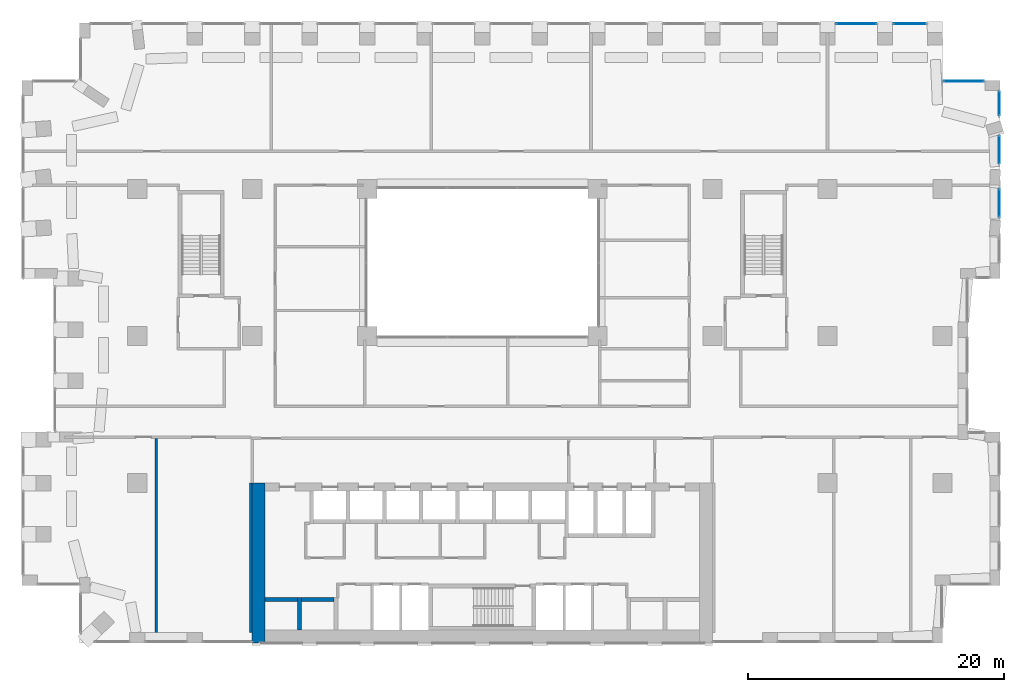
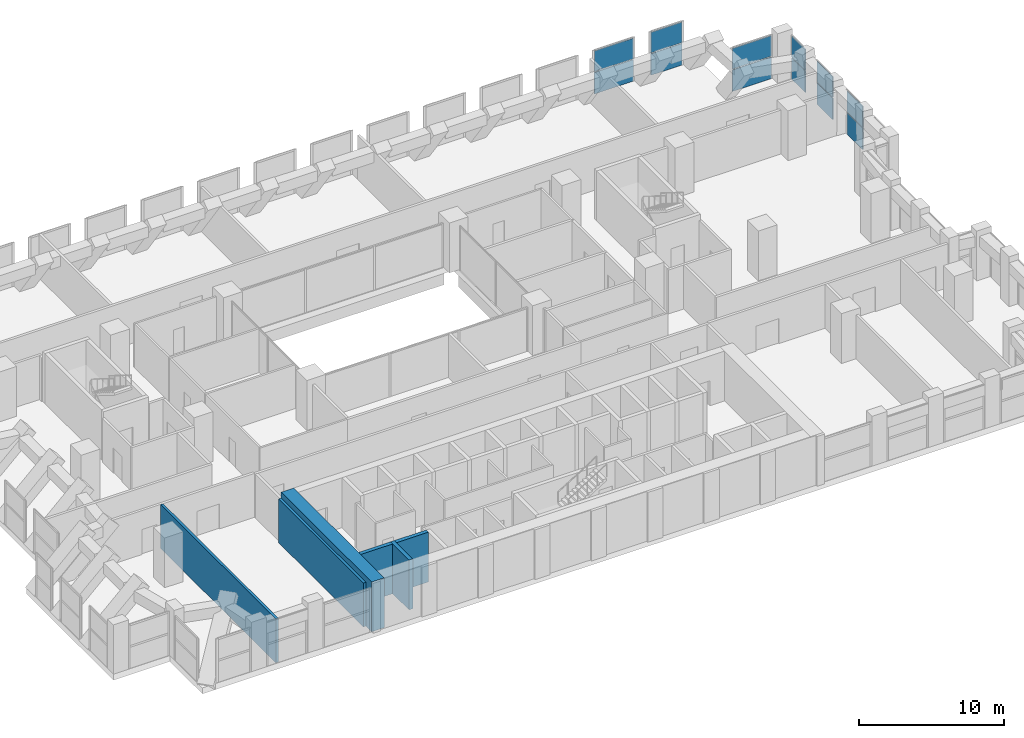
# One storey, part 14 of 20: 12 plates, 6 walls, 6 elements without a shape of their own.
"""IFC4 building model written with IfcOpenShell, lengths in metres."""

from ifc_helpers import new_model, si_unit, direction, frame, frame_2d, origin, origin_2d, place, context, subcontext, project, spatial, rectangle, extrude, material, layer, layer_set, type_object, element, aggregate, save


model = new_model("IFC4")

# Units and contexts
model_context = context("Model", 3, precision=1e-05, world=origin(), true_north=direction((0.0, 1.0)))
body_context = subcontext(model_context, "Body", "Model", "MODEL_VIEW")
ifc_project = project(units=[si_unit("LENGTHUNIT", "METRE"), si_unit("AREAUNIT", "SQUARE_METRE"), si_unit("VOLUMEUNIT", "CUBIC_METRE"), si_unit("PLANEANGLEUNIT", "RADIAN"), si_unit("MASSUNIT", "GRAM", prefix="KILO")], contexts=[model_context])

# Site, building, storey
site_placement = place(None, origin())
site = spatial("IfcSite", under=ifc_project, at=site_placement, CompositionType="ELEMENT")
building_placement = place(site_placement, origin())
building = spatial("IfcBuilding", under=site, at=building_placement, Name="Brigalow Station Residences", CompositionType="ELEMENT")
storey_placement = place(building_placement, frame((0.0, 0.0, 73.050048828125)))
storey = spatial("IfcBuildingStorey", under=building, at=storey_placement, Name="L21", CompositionType="ELEMENT", Elevation=73.050048828125)

# Curtain wall, plates
ifc_material_1 = material(Name="Aluminium", Category="aluminium")
ifc_layer_1 = layer(ifc_material_1, 0.199951171875)
ifc_layer_set_1 = layer_set([ifc_layer_1], Name="REFUGE FLOOR LOUVRE CURTAIN WALL")
curtain_wall_type = type_object("IfcCurtainWallType", Name="REFUGE FLOOR LOUVRE CURTAIN WALL", PredefinedType="NOTDEFINED", material=ifc_layer_set_1)
curtain_wall_1_placement = place(storey_placement, origin())
curtain_wall_1 = element("IfcCurtainWall", 1, at=curtain_wall_1_placement, inside=storey, type_object=curtain_wall_type, Name="L21/cw/louvre-W-L21-19-19", PredefinedType="NOTDEFINED")
ifc_material_2 = material(Name="Aluminium louvre blade", Category="aluminium")
ifc_layer_2 = layer(ifc_material_2, 0.070068359375)
ifc_layer_set_2 = layer_set([ifc_layer_2], Name="REFUGE FLOOR LOUVRE PANEL 70")
plate_type = type_object("IfcPlateType", Name="REFUGE FLOOR LOUVRE PANEL 70", PredefinedType="CURTAIN_PANEL", material=ifc_layer_set_2)
plate_1_placement = place(storey_placement, frame((76.425048828125, 34.411376953125, 0.0), z_axis=(0.0, 0.0, 1.0), x_axis=(0.0, 1.0, 0.0)))
plate_1 = element("IfcPlate", 2, at=plate_1_placement, type_object=plate_type, Name="L21/cw/louvre-W-L21-19-19/P00-00", PredefinedType="CURTAIN_PANEL", context=body_context, shape_type="SweptSolid", body=[
    extrude(rectangle(XDim=2.144287109375, YDim=0.070068359375, at=origin_2d()), origin(), (0.0, 0.0, 1.0), 1.81005859375),
])
plate_2_placement = place(storey_placement, frame((76.425048828125, 34.411376953125, 1.889892578125), z_axis=(0.0, 0.0, 1.0), x_axis=(0.0, 1.0, 0.0)))
plate_2 = element("IfcPlate", 3, at=plate_2_placement, type_object=plate_type, Name="L21/cw/louvre-W-L21-19-19/P00-01", PredefinedType="CURTAIN_PANEL", context=body_context, shape_type="SweptSolid", body=[
    extrude(rectangle(XDim=2.144287109375, YDim=0.070068359375, at=origin_2d()), origin(), (0.0, 0.0, 1.0), 1.72998046875),
])
aggregate(curtain_wall_1, [plate_1, plate_2])

curtain_wall_2_placement = place(storey_placement, origin())
curtain_wall_2 = element("IfcCurtainWall", 4, at=curtain_wall_2_placement, inside=storey, type_object=curtain_wall_type, Name="L21/cw/louvre-W-L21-19-20", PredefinedType="NOTDEFINED")
plate_3_placement = place(storey_placement, frame((76.425048828125, 38.576171875, 0.0), z_axis=(0.0, 0.0, 1.0), x_axis=(0.0, 1.0, 0.0)))
plate_3 = element("IfcPlate", 5, at=plate_3_placement, type_object=plate_type, Name="L21/cw/louvre-W-L21-19-20/P00-00", PredefinedType="CURTAIN_PANEL", context=body_context, shape_type="SweptSolid", body=[
    extrude(rectangle(XDim=2.145751953125, YDim=0.070068359375, at=origin_2d()), origin(), (0.0, 0.0, 1.0), 1.81005859375),
])
plate_4_placement = place(storey_placement, frame((76.425048828125, 38.576171875, 1.889892578125), z_axis=(0.0, 0.0, 1.0), x_axis=(0.0, 1.0, 0.0)))
plate_4 = element("IfcPlate", 6, at=plate_4_placement, type_object=plate_type, Name="L21/cw/louvre-W-L21-19-20/P00-01", PredefinedType="CURTAIN_PANEL", context=body_context, shape_type="SweptSolid", body=[
    extrude(rectangle(XDim=2.145751953125, YDim=0.070068359375, at=origin_2d()), origin(), (0.0, 0.0, 1.0), 1.72998046875),
])
aggregate(curtain_wall_2, [plate_3, plate_4])

curtain_wall_3_placement = place(storey_placement, origin())
curtain_wall_3 = element("IfcCurtainWall", 7, at=curtain_wall_3_placement, inside=storey, type_object=curtain_wall_type, Name="L21/cw/louvre-W-L21-19-21", PredefinedType="NOTDEFINED")
plate_5_placement = place(storey_placement, frame((76.425048828125, 42.197998046875, 0.0), z_axis=(0.0, 0.0, 1.0), x_axis=(0.0, 1.0, 0.0)))
plate_5 = element("IfcPlate", 8, at=plate_5_placement, type_object=plate_type, Name="L21/cw/louvre-W-L21-19-21/P00-00", PredefinedType="CURTAIN_PANEL", context=body_context, shape_type="SweptSolid", body=[
    extrude(rectangle(XDim=1.84375, YDim=0.070068359375, at=origin_2d()), origin(), (0.0, 0.0, 1.0), 1.81005859375),
])
plate_6_placement = place(storey_placement, frame((76.425048828125, 42.197998046875, 1.889892578125), z_axis=(0.0, 0.0, 1.0), x_axis=(0.0, 1.0, 0.0)))
plate_6 = element("IfcPlate", 9, at=plate_6_placement, type_object=plate_type, Name="L21/cw/louvre-W-L21-19-21/P00-01", PredefinedType="CURTAIN_PANEL", context=body_context, shape_type="SweptSolid", body=[
    extrude(rectangle(XDim=1.84375, YDim=0.070068359375, at=origin_2d()), origin(), (0.0, 0.0, 1.0), 1.72998046875),
])
aggregate(curtain_wall_3, [plate_5, plate_6])

curtain_wall_4_placement = place(storey_placement, origin())
curtain_wall_4 = element("IfcCurtainWall", 10, at=curtain_wall_4_placement, inside=storey, type_object=curtain_wall_type, Name="L21/cw/louvre-W-L21-23-22", PredefinedType="NOTDEFINED")
plate_7_placement = place(storey_placement, frame((73.660400390625, 43.925048828125, 0.0), z_axis=(0.0, 0.0, 1.0), x_axis=(-1.0, 0.0, 0.0)))
plate_7 = element("IfcPlate", 11, at=plate_7_placement, type_object=plate_type, Name="L21/cw/louvre-W-L21-23-22/P00-00", PredefinedType="CURTAIN_PANEL", context=body_context, shape_type="SweptSolid", body=[
    extrude(rectangle(XDim=3.119384765625, YDim=0.070068359375, at=origin_2d()), origin(), (0.0, 0.0, 1.0), 1.81005859375),
])
plate_8_placement = place(storey_placement, frame((73.660400390625, 43.925048828125, 1.889892578125), z_axis=(0.0, 0.0, 1.0), x_axis=(-1.0, 0.0, 0.0)))
plate_8 = element("IfcPlate", 12, at=plate_8_placement, type_object=plate_type, Name="L21/cw/louvre-W-L21-23-22/P00-01", PredefinedType="CURTAIN_PANEL", context=body_context, shape_type="SweptSolid", body=[
    extrude(rectangle(XDim=3.119384765625, YDim=0.070068359375, at=origin_2d()), origin(), (0.0, 0.0, 1.0), 1.72998046875),
])
aggregate(curtain_wall_4, [plate_7, plate_8])

curtain_wall_5_placement = place(storey_placement, origin())
curtain_wall_5 = element("IfcCurtainWall", 13, at=curtain_wall_5_placement, inside=storey, type_object=curtain_wall_type, Name="L21/cw/louvre-W-L21-25-23", PredefinedType="NOTDEFINED")
plate_9_placement = place(storey_placement, frame((69.447265625, 48.425048828125, 0.0), z_axis=(0.0, 0.0, 1.0), x_axis=(-1.0, 0.0, 0.0)))
plate_9 = element("IfcPlate", 14, at=plate_9_placement, type_object=plate_type, Name="L21/cw/louvre-W-L21-25-23/P00-00", PredefinedType="CURTAIN_PANEL", context=body_context, shape_type="SweptSolid", body=[
    extrude(rectangle(XDim=2.494384765625, YDim=0.070068359375, at=origin_2d()), origin(), (0.0, 0.0, 1.0), 1.81005859375),
])
plate_10_placement = place(storey_placement, frame((69.447265625, 48.425048828125, 1.889892578125), z_axis=(0.0, 0.0, 1.0), x_axis=(-1.0, 0.0, 0.0)))
plate_10 = element("IfcPlate", 15, at=plate_10_placement, type_object=plate_type, Name="L21/cw/louvre-W-L21-25-23/P00-01", PredefinedType="CURTAIN_PANEL", context=body_context, shape_type="SweptSolid", body=[
    extrude(rectangle(XDim=2.494384765625, YDim=0.070068359375, at=origin_2d()), origin(), (0.0, 0.0, 1.0), 1.72998046875),
])
aggregate(curtain_wall_5, [plate_9, plate_10])

curtain_wall_6_placement = place(storey_placement, origin())
curtain_wall_6 = element("IfcCurtainWall", 16, at=curtain_wall_6_placement, inside=storey, type_object=curtain_wall_type, Name="L21/cw/louvre-W-L21-25-24", PredefinedType="NOTDEFINED")
plate_11_placement = place(storey_placement, frame((65.25, 48.425048828125, 0.0), z_axis=(0.0, 0.0, 1.0), x_axis=(-1.0, 0.0, 0.0)))
plate_11 = element("IfcPlate", 17, at=plate_11_placement, type_object=plate_type, Name="L21/cw/louvre-W-L21-25-24/P00-00", PredefinedType="CURTAIN_PANEL", context=body_context, shape_type="SweptSolid", body=[
    extrude(rectangle(XDim=3.10009765625, YDim=0.070068359375, at=origin_2d()), origin(), (0.0, 0.0, 1.0), 1.81005859375),
])
plate_12_placement = place(storey_placement, frame((65.25, 48.425048828125, 1.889892578125), z_axis=(0.0, 0.0, 1.0), x_axis=(-1.0, 0.0, 0.0)))
plate_12 = element("IfcPlate", 18, at=plate_12_placement, type_object=plate_type, Name="L21/cw/louvre-W-L21-25-24/P00-01", PredefinedType="CURTAIN_PANEL", context=body_context, shape_type="SweptSolid", body=[
    extrude(rectangle(XDim=3.10009765625, YDim=0.070068359375, at=origin_2d()), origin(), (0.0, 0.0, 1.0), 1.72998046875),
])
aggregate(curtain_wall_6, [plate_11, plate_12])

# Walls
ifc_material_3 = material(Name="Concrete C80", Category="concrete")
ifc_layer_3 = layer(ifc_material_3, 1.0)
ifc_layer_set_3 = layer_set([ifc_layer_3], Name="CORE SHEAR WALL 1000 C80")
wall_type_1 = type_object("IfcWallType", Name="CORE SHEAR WALL 1000 C80", PredefinedType="SHEAR", material=ifc_layer_set_3)
wall_1_placement = place(storey_placement, frame((18.5, 0.0, 0.0), z_axis=(0.0, 0.0, 1.0), x_axis=(0.0, 1.0, 0.0)))
element("IfcWall", 19, at=wall_1_placement, inside=storey, type_object=wall_type_1, Name="CORE WALL OUT-W L21", PredefinedType="SHEAR", context=body_context, shape_type="SweptSolid", body=[
    extrude(rectangle(XDim=12.5, YDim=1.0, at=frame_2d((6.25, 0.0))), origin(), (0.0, 0.0, 1.0), 4.199951171875),
])
ifc_material_4 = material(Name="Concrete C80", Category="concrete")
ifc_layer_4 = layer(ifc_material_4, 0.300048828125)
ifc_layer_set_4 = layer_set([ifc_layer_4], Name="CORE SHEAR WALL 300 C80")
wall_type_2 = type_object("IfcWallType", Name="CORE SHEAR WALL 300 C80", PredefinedType="SHEAR", material=ifc_layer_set_4)
wall_2_placement = place(storey_placement, frame((19.0, 3.39990234375, 0.0), z_axis=(0.0, 0.0, 1.0), x_axis=(1.0, 0.0, 0.0)))
element("IfcWall", 20, at=wall_2_placement, inside=storey, type_object=wall_type_2, Name="CORE WALL SH-C1-N L21", PredefinedType="SHEAR", context=body_context, shape_type="SweptSolid", body=[
    extrude(rectangle(XDim=2.550048828125, YDim=0.300048828125, at=frame_2d((1.27490234375, 0.0))), origin(), (0.0, 0.0, 1.0), 4.199951171875),
])
wall_3_placement = place(storey_placement, frame((21.85009765625, 3.39990234375, 0.0), z_axis=(0.0, 0.0, 1.0), x_axis=(1.0, 0.0, 0.0)))
element("IfcWall", 21, at=wall_3_placement, inside=storey, type_object=wall_type_2, Name="CORE WALL SH-C2-N L21", PredefinedType="SHEAR", context=body_context, shape_type="SweptSolid", body=[
    extrude(rectangle(XDim=2.5498046875, YDim=0.300048828125, at=frame_2d((1.27490234375, 0.0))), origin(), (0.0, 0.0, 1.0), 4.199951171875),
])
wall_4_placement = place(storey_placement, frame((21.699951171875, 1.0, 0.0), z_axis=(0.0, 0.0, 1.0), x_axis=(0.0, 1.0, 0.0)))
element("IfcWall", 22, at=wall_4_placement, inside=storey, type_object=wall_type_2, Name="CORE WALL SH-C2-W L21", PredefinedType="SHEAR", context=body_context, shape_type="SweptSolid", body=[
    extrude(rectangle(XDim=2.550048828125, YDim=0.300048828125, at=frame_2d((1.27490234375, 0.0))), origin(), (0.0, 0.0, 1.0), 4.199951171875),
])
ifc_material_5 = material(Name="Concrete blockwork", Category="masonry")
ifc_layer_5 = layer(ifc_material_5, 0.199951171875)
ifc_layer_set_5 = layer_set([ifc_layer_5], Name="FIRE RATED CORE PARTITION 200")
wall_type_3 = type_object("IfcWallType", Name="FIRE RATED CORE PARTITION 200", PredefinedType="PARTITIONING", material=ifc_layer_set_5)
wall_5_placement = place(storey_placement, frame((10.5, 0.090087890625, 0.0), z_axis=(0.0, 0.0, 1.0), x_axis=(0.0, 1.0, 0.0)))
element("IfcWall", 23, at=wall_5_placement, inside=storey, type_object=wall_type_3, Name="PW-5176", PredefinedType="PARTITIONING", context=body_context, shape_type="SweptSolid", body=[
    extrude(rectangle(XDim=15.909912109375, YDim=0.199951171875, at=frame_2d((7.955078125, 0.0))), origin(), (0.0, 0.0, 1.0), 3.699951171875),
])
wall_6_placement = place(storey_placement, frame((17.89990234375, 0.800048828125, 0.0), z_axis=(0.0, 0.0, 1.0), x_axis=(0.0, 1.0, 0.0)))
element("IfcWall", 24, at=wall_6_placement, inside=storey, type_object=wall_type_3, Name="PW-5177", PredefinedType="PARTITIONING", context=body_context, shape_type="SweptSolid", body=[
    extrude(rectangle(XDim=11.699951171875, YDim=0.199951171875, at=frame_2d((5.85009765625, 0.0))), origin(), (0.0, 0.0, 1.0), 3.699951171875),
])

save(model, "model.ifc")
